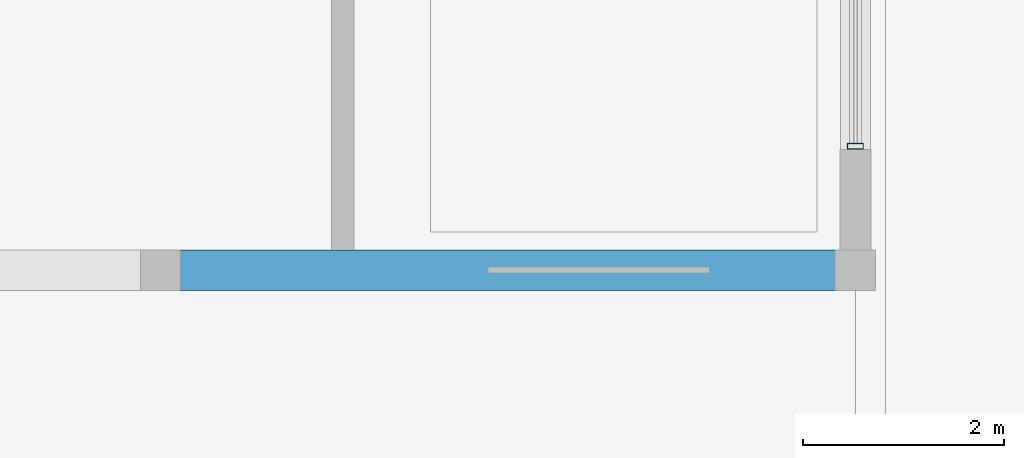
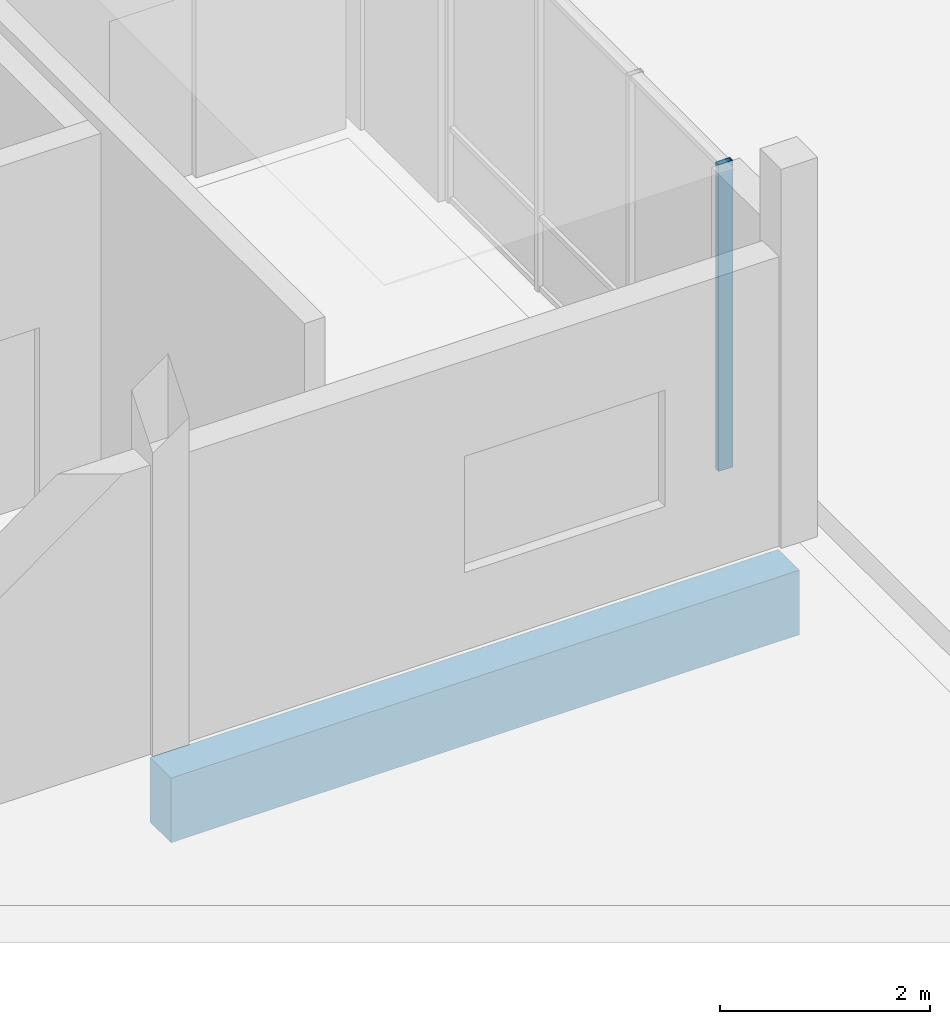
# One storey, part 34 of 233: 1 beam, 1 member, 1 element without a shape of its own.
"""IFC4 building model written with IfcOpenShell, lengths in metres."""

from ifc_helpers import new_model, si_unit, direction, frame, origin, origin_2d, place, context, subcontext, project, spatial, rectangle, hollow_rectangle, extrude, material, material_profile, profile_set, type_object, element, aggregate, save


model = new_model("IFC4")

# Units and contexts
model_context = context("Model", 3, precision=1e-05, world=origin(), true_north=direction((0.0, 1.0)))
body_context = subcontext(model_context, "Body", "Model", "MODEL_VIEW")
ifc_project = project(units=[si_unit("LENGTHUNIT", "METRE"), si_unit("AREAUNIT", "SQUARE_METRE"), si_unit("VOLUMEUNIT", "CUBIC_METRE"), si_unit("PLANEANGLEUNIT", "RADIAN"), si_unit("MASSUNIT", "GRAM", prefix="KILO")], contexts=[model_context])

# Site, building, storey
site_placement = place(None, origin())
site = spatial("IfcSite", under=ifc_project, at=site_placement, CompositionType="ELEMENT")
building_placement = place(site_placement, origin())
building = spatial("IfcBuilding", under=site, at=building_placement, Name="Zavelmont Quarter", CompositionType="ELEMENT")
storey_placement = place(building_placement, origin())
storey = spatial("IfcBuildingStorey", under=building, at=storey_placement, Name="L00", CompositionType="ELEMENT", Elevation=0.0)

# Beam
ifc_material_1 = material(Name="Concrete C40/50", Category="concrete")
ifc_material_profile_1 = material_profile(ifc_material_1, rectangle(XDim=0.39990234375, YDim=0.75, at=origin_2d()), Name="RC400X750")
ifc_profile_set_1 = profile_set([ifc_material_profile_1], Name="Concrete C40/50")
beam_type = type_object("IfcBeamType", Name="BM05", PredefinedType="BEAM", material=ifc_profile_set_1)
beam_placement = place(storey_placement, frame((13.800048828125, 30.0, -0.695068359375), z_axis=(1.0, 0.0, 0.0), x_axis=(0.0, 1.0, 0.0)))
element("IfcBeam", 1, at=beam_placement, inside=storey, type_object=beam_type, Name="L00 beam BM05 3/F to 4/F", PredefinedType="BEAM", context=body_context, shape_type="SweptSolid", body=[
    extrude(rectangle(XDim=0.39990234375, YDim=0.75, at=origin_2d()), origin(), (0.0, 0.0, 1.0), 6.89990234375),
])

# Curtain wall, member
ifc_material_2 = material(Name="Thermally broken aluminium and double low-E safety glazing", Category="aluminium")
curtain_wall_type = type_object("IfcCurtainWallType", Name="CW-520X356", PredefinedType="NOTDEFINED", material=ifc_material_2)
curtain_wall_placement = place(storey_placement, origin())
curtain_wall = element("IfcCurtainWall", 2, at=curtain_wall_placement, inside=storey, type_object=curtain_wall_type, Name="L00 unitised curtain wall CW-520X356", PredefinedType="NOTDEFINED")
ifc_material_3 = material(Name="Powder-coated aluminium EN AW-6063-T6", Category="aluminium")
ifc_material_profile_2 = material_profile(ifc_material_3, hollow_rectangle(XDim=0.06005859375, YDim=0.159912109375, WallThickness=0.00390625, at=origin_2d()), Name="CWM60X160")
ifc_profile_set_2 = profile_set([ifc_material_profile_2], Name="Powder-coated aluminium EN AW-6063-T6")
member_type = type_object("IfcMemberType", Name="CWM01", PredefinedType="MULLION", material=ifc_profile_set_2)
member_placement = place(storey_placement, frame((20.699951171875, 31.22998046875, 0.0), z_axis=(0.0, 0.0, 1.0), x_axis=(0.0, 1.0, 0.0)))
member = element("IfcMember", 3, at=member_placement, type_object=member_type, Name="CW-520X356 mullion 1", PredefinedType="MULLION", context=body_context, shape_type="SweptSolid", body=[
    extrude(hollow_rectangle(XDim=0.06005859375, YDim=0.159912109375, WallThickness=0.00390625, at=origin_2d()), origin(), (0.0, 0.0, 1.0), 3.56005859375),
])
aggregate(curtain_wall, [member])

save(model, "model.ifc")
